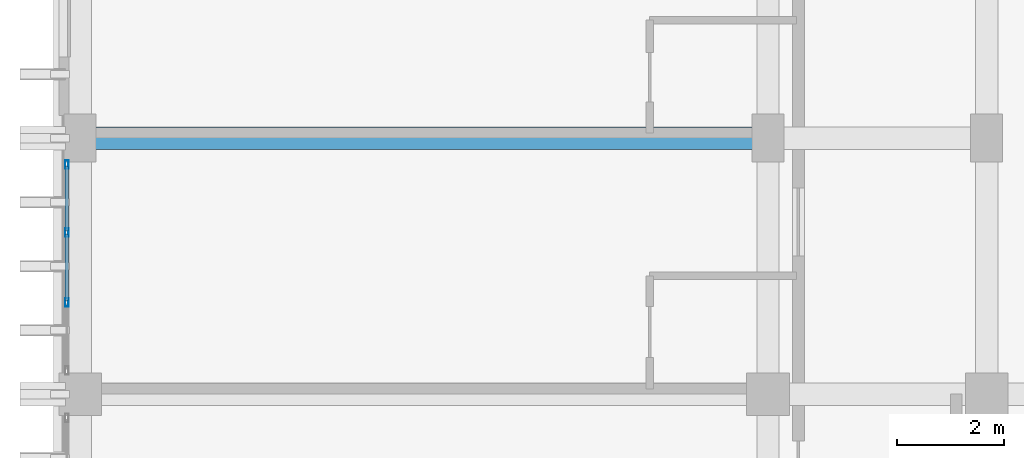
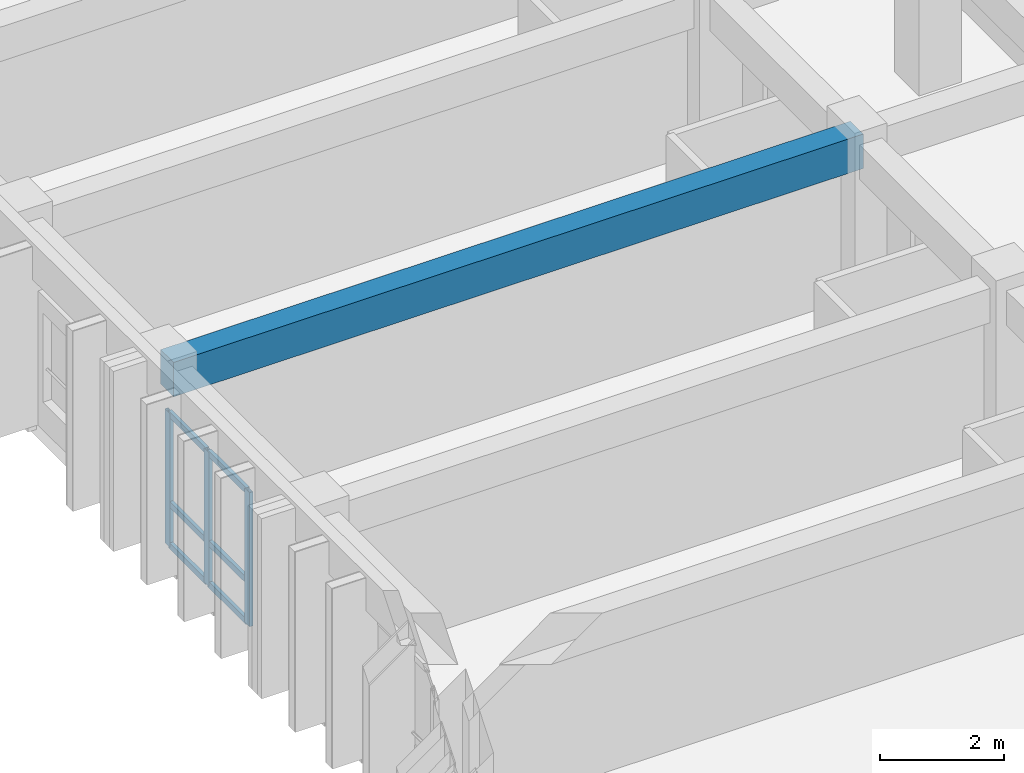
# One storey, part 15 of 82: 9 members, 1 beam, 1 element without a shape of its own.
"""IFC4 building model written with IfcOpenShell, lengths in metres."""

from ifc_helpers import new_model, si_unit, direction, frame, origin, origin_2d, place, context, subcontext, project, spatial, rectangle, hollow_rectangle, extrude, material, layer, layer_set, material_profile, profile_set, type_object, element, aggregate, save


model = new_model("IFC4")

# Units and contexts
model_context = context("Model", 3, precision=1e-05, world=origin(), true_north=direction((0.0, 1.0)))
body_context = subcontext(model_context, "Body", "Model", "MODEL_VIEW")
ifc_project = project(units=[si_unit("LENGTHUNIT", "METRE"), si_unit("AREAUNIT", "SQUARE_METRE"), si_unit("VOLUMEUNIT", "CUBIC_METRE"), si_unit("PLANEANGLEUNIT", "RADIAN"), si_unit("MASSUNIT", "GRAM", prefix="KILO")], contexts=[model_context])

# Site, building, storey
site_placement = place(None, origin())
site = spatial("IfcSite", under=ifc_project, at=site_placement, CompositionType="ELEMENT")
building_placement = place(site_placement, origin())
building = spatial("IfcBuilding", under=site, at=building_placement, Name="Nakhvara Creek Congress Hotel", CompositionType="ELEMENT")
storey_placement = place(building_placement, frame((0.0, 0.0, 21.0)))
storey = spatial("IfcBuildingStorey", under=building, at=storey_placement, Name="L04", CompositionType="ELEMENT", Elevation=21.0)

# Beam
ifc_material_1 = material(Name="Concrete C40/50", Category="concrete")
ifc_material_profile_1 = material_profile(ifc_material_1, rectangle(XDim=0.419921875, YDim=0.679931640625, at=origin_2d()), Name="RC-BM 420x680", Category="LoadBearing")
ifc_profile_set_1 = profile_set([ifc_material_profile_1], Name="Concrete C40/50")
beam_type = type_object("IfcBeamType", Name="BM-RC-420X680", PredefinedType="BEAM", material=ifc_profile_set_1)
beam_placement = place(storey_placement, frame((149.449951171875, 52.800048828125, 3.0), z_axis=(1.0, 0.0, 0.0), x_axis=(0.0, 1.0, 0.0)))
element("IfcBeam", 1, at=beam_placement, inside=storey, type_object=beam_type, Name="Beam B11-L04-2032", PredefinedType="BEAM", context=body_context, shape_type="SweptSolid", body=[
    extrude(rectangle(XDim=0.419921875, YDim=0.679931640625, at=origin_2d()), origin(), (0.0, 0.0, 1.0), 12.900146484375),
])

# Curtain wall, members
ifc_material_2 = material(Name="Bronze-anodised aluminium AW-6063-T6 and double-silver low-E glass", Category="aluminium")
ifc_layer = layer(ifc_material_2, 0.199951171875)
ifc_layer_set = layer_set([ifc_layer], Name="Bronze-anodised aluminium AW-6063-T6 and double-silver low-E glass")
curtain_wall_type = type_object("IfcCurtainWallType", Name="CW-HTL-UNIT", PredefinedType="USERDEFINED", material=ifc_layer_set)
curtain_wall_placement = place(storey_placement, origin())
curtain_wall = element("IfcCurtainWall", 2, at=curtain_wall_placement, inside=storey, type_object=curtain_wall_type, Name="Curtain Wall CW181", ObjectType="UNITISED", PredefinedType="USERDEFINED")
ifc_material_3 = material(Name="Bronze-anodised aluminium AW-6063-T6", Category="aluminium")
ifc_material_profile_2 = material_profile(ifc_material_3, hollow_rectangle(XDim=0.06494140625, YDim=0.159912109375, WallThickness=0.00390625, at=origin_2d()), Name="ALU-MULL 65x160x4", Category="LoadBearing")
ifc_profile_set_2 = profile_set([ifc_material_profile_2], Name="Bronze-anodised aluminium AW-6063-T6")
member_type_1 = type_object("IfcMemberType", Name="CW-MULL-160", PredefinedType="MULLION", material=ifc_profile_set_2)
member_1_placement = place(storey_placement, frame((149.199951171875, 49.7216796875, 0.0), z_axis=(0.0, 0.0, 1.0), x_axis=(-1.0, 0.0, 0.0)))
member_1 = element("IfcMember", 3, at=member_1_placement, type_object=member_type_1, Name="CW181 mullion 2", PredefinedType="MULLION", context=body_context, shape_type="SweptSolid", body=[
    extrude(hollow_rectangle(XDim=0.06494140625, YDim=0.159912109375, WallThickness=0.00390625, at=origin_2d()), origin(), (0.0, 0.0, 1.0), 2.652099609375),
])
member_2_placement = place(storey_placement, frame((149.199951171875, 51.0283203125, 0.0), z_axis=(0.0, 0.0, 1.0), x_axis=(-1.0, 0.0, 0.0)))
member_2 = element("IfcMember", 4, at=member_2_placement, type_object=member_type_1, Name="CW181 mullion 3", PredefinedType="MULLION", context=body_context, shape_type="SweptSolid", body=[
    extrude(hollow_rectangle(XDim=0.06494140625, YDim=0.159912109375, WallThickness=0.00390625, at=origin_2d()), origin(), (0.0, 0.0, 1.0), 2.652099609375),
])
member_3_placement = place(storey_placement, frame((149.199951171875, 52.302490234375, 0.0), z_axis=(0.0, 0.0, 1.0), x_axis=(-1.0, 0.0, 0.0)))
member_3 = element("IfcMember", 5, at=member_3_placement, type_object=member_type_1, Name="CW181 mullion 4", PredefinedType="MULLION", context=body_context, shape_type="SweptSolid", body=[
    extrude(hollow_rectangle(XDim=0.06494140625, YDim=0.159912109375, WallThickness=0.00390625, at=origin_2d()), origin(), (0.0, 0.0, 1.0), 2.652099609375),
])
ifc_material_profile_3 = material_profile(ifc_material_3, hollow_rectangle(XDim=0.06494140625, YDim=0.1201171875, WallThickness=0.00390625, at=origin_2d()), Name="ALU-TRAN 65x120x4", Category="LoadBearing")
ifc_profile_set_3 = profile_set([ifc_material_profile_3], Name="Bronze-anodised aluminium AW-6063-T6")
member_type_2 = type_object("IfcMemberType", Name="CW-TRAN-120", PredefinedType="USERDEFINED", material=ifc_profile_set_3)
member_4_placement = place(storey_placement, frame((149.199951171875, 49.754150390625, 0.032470703125), z_axis=(0.0, 1.0, 0.0), x_axis=(-1.0, 0.0, 0.0)))
member_4 = element("IfcMember", 6, at=member_4_placement, type_object=member_type_2, Name="CW181 transom 2.1", ObjectType="TRANSOM", PredefinedType="USERDEFINED", context=body_context, shape_type="SweptSolid", body=[
    extrude(hollow_rectangle(XDim=0.06494140625, YDim=0.1201171875, WallThickness=0.00390625, at=origin_2d()), origin(), (0.0, 0.0, 1.0), 1.24169921875),
])
member_5_placement = place(storey_placement, frame((149.199951171875, 49.754150390625, 0.85009765625), z_axis=(0.0, 1.0, 0.0), x_axis=(-1.0, 0.0, 0.0)))
member_5 = element("IfcMember", 7, at=member_5_placement, type_object=member_type_2, Name="CW181 transom 2.2", ObjectType="TRANSOM", PredefinedType="USERDEFINED", context=body_context, shape_type="SweptSolid", body=[
    extrude(hollow_rectangle(XDim=0.06494140625, YDim=0.1201171875, WallThickness=0.00390625, at=origin_2d()), origin(), (0.0, 0.0, 1.0), 1.24169921875),
])
member_6_placement = place(storey_placement, frame((149.199951171875, 49.754150390625, 2.619384765625), z_axis=(0.0, 1.0, 0.0), x_axis=(-1.0, 0.0, 0.0)))
member_6 = element("IfcMember", 8, at=member_6_placement, type_object=member_type_2, Name="CW181 transom 2.3", ObjectType="TRANSOM", PredefinedType="USERDEFINED", context=body_context, shape_type="SweptSolid", body=[
    extrude(hollow_rectangle(XDim=0.06494140625, YDim=0.1201171875, WallThickness=0.00390625, at=origin_2d()), origin(), (0.0, 0.0, 1.0), 1.24169921875),
])
member_7_placement = place(storey_placement, frame((149.199951171875, 51.060791015625, 0.032470703125), z_axis=(0.0, 1.0, 0.0), x_axis=(-1.0, 0.0, 0.0)))
member_7 = element("IfcMember", 9, at=member_7_placement, type_object=member_type_2, Name="CW181 transom 3.1", ObjectType="TRANSOM", PredefinedType="USERDEFINED", context=body_context, shape_type="SweptSolid", body=[
    extrude(hollow_rectangle(XDim=0.06494140625, YDim=0.1201171875, WallThickness=0.00390625, at=origin_2d()), origin(), (0.0, 0.0, 1.0), 1.209228515625),
])
member_8_placement = place(storey_placement, frame((149.199951171875, 51.060791015625, 0.85009765625), z_axis=(0.0, 1.0, 0.0), x_axis=(-1.0, 0.0, 0.0)))
member_8 = element("IfcMember", 10, at=member_8_placement, type_object=member_type_2, Name="CW181 transom 3.2", ObjectType="TRANSOM", PredefinedType="USERDEFINED", context=body_context, shape_type="SweptSolid", body=[
    extrude(hollow_rectangle(XDim=0.06494140625, YDim=0.1201171875, WallThickness=0.00390625, at=origin_2d()), origin(), (0.0, 0.0, 1.0), 1.209228515625),
])
member_9_placement = place(storey_placement, frame((149.199951171875, 51.060791015625, 2.619384765625), z_axis=(0.0, 1.0, 0.0), x_axis=(-1.0, 0.0, 0.0)))
member_9 = element("IfcMember", 11, at=member_9_placement, type_object=member_type_2, Name="CW181 transom 3.3", ObjectType="TRANSOM", PredefinedType="USERDEFINED", context=body_context, shape_type="SweptSolid", body=[
    extrude(hollow_rectangle(XDim=0.06494140625, YDim=0.1201171875, WallThickness=0.00390625, at=origin_2d()), origin(), (0.0, 0.0, 1.0), 1.209228515625),
])
aggregate(curtain_wall, [member_1, member_2, member_3, member_4, member_5, member_6, member_7, member_8, member_9])

save(model, "model.ifc")
